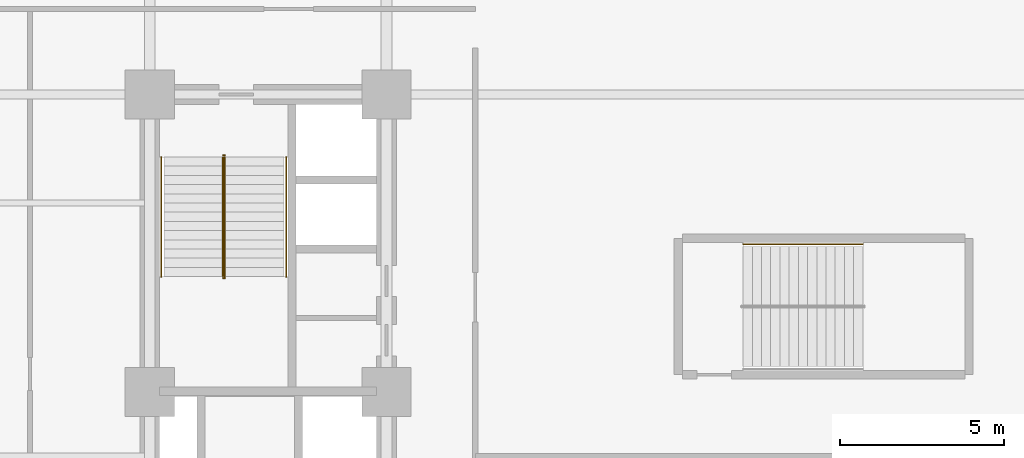
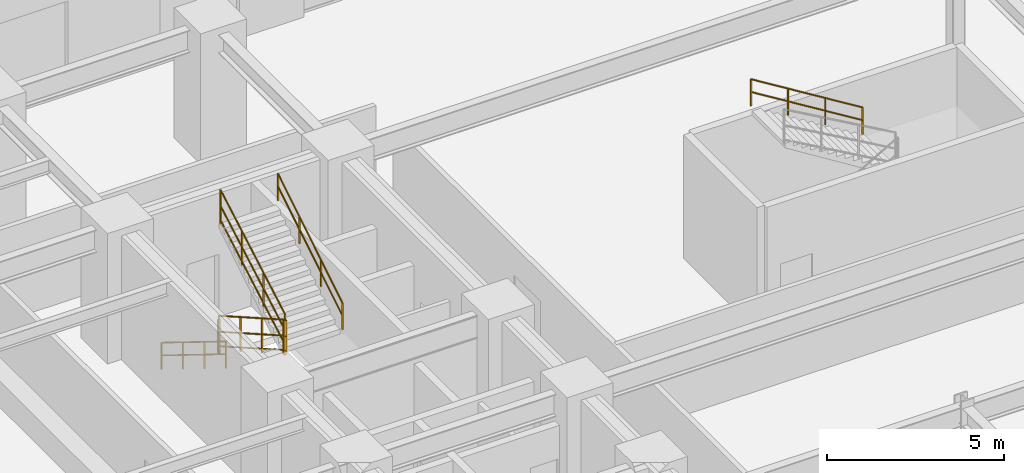
# One storey, part 15 of 15: 7 railings.
"""IFC4 building model written with IfcOpenShell, lengths in metres."""

from ifc_helpers import new_model, entity, si_unit, converted_unit, direction, frame, origin_with_axes, origin_2d_with_axis, place, context, subcontext, project, spatial, rectangle, circle, extrude, material, type_object, element, save


model = new_model("IFC4")

# Units and contexts
model_context = context("Model", 3, precision=1e-05, world=origin_with_axes(), true_north=direction((0.0, 1.0)))
body_context = subcontext(model_context, "Body", "Model", "MODEL_VIEW")
ifc_project = project(units=[si_unit("LENGTHUNIT", "METRE"), si_unit("AREAUNIT", "SQUARE_METRE"), si_unit("VOLUMEUNIT", "CUBIC_METRE"), converted_unit("PLANEANGLEUNIT", "DEGREE", entity("IfcPlaneAngleMeasure", 0.017453292519943295), si_unit("PLANEANGLEUNIT", "RADIAN"), dimensions=[0, 0, 0, 0, 0, 0, 0]), si_unit("MASSUNIT", "GRAM", prefix="KILO"), si_unit("THERMODYNAMICTEMPERATUREUNIT", "KELVIN")], contexts=[model_context])

# Site, building, storey
site_placement = place(None, origin_with_axes())
site = spatial("IfcSite", under=ifc_project, at=site_placement, CompositionType="ELEMENT")
building_placement = place(site_placement, origin_with_axes())
building = spatial("IfcBuilding", under=site, at=building_placement, Name="Varnlund Millrace Tower", CompositionType="ELEMENT")
storey_placement = place(building_placement, frame((0.0, 0.0, 15.3), z_axis=(0.0, 0.0, 1.0), x_axis=(1.0, 0.0, 0.0)))
storey = spatial("IfcBuildingStorey", under=building, at=storey_placement, Name="L03", CompositionType="ELEMENT", Elevation=15.3)

# Railings
ifc_material_1 = material(Name="Painted steel stair well balustrade guard", Category="steel")
railing_type_1 = type_object("IfcRailingType", Name="Type-StairGuard-1150", PredefinedType="GUARDRAIL", material=ifc_material_1)
railing_1_placement = place(storey_placement, frame((0.0, 0.0, -15.3), z_axis=(0.0, 0.0, 1.0), x_axis=(1.0, 0.0, 0.0)))
element("IfcRailing", 1, at=railing_1_placement, inside=storey, type_object=railing_type_1, Name="Type-StairGuard-1150", PredefinedType="GUARDRAIL", context=body_context, shape_type="SweptSolid", body=[
    extrude(circle(Radius=0.024, at=origin_2d_with_axis()), frame((13.625, 35.9, 16.623077), z_axis=(0.0, -0.868559, 0.495585), x_axis=(1.0, 0.0, 0.0)), (0.0, 0.0, 1.0), 4.190848),
    extrude(circle(Radius=0.024, at=origin_2d_with_axis()), frame((13.625, 35.9, 15.573077), z_axis=(0.0, -0.868559, 0.495585), x_axis=(1.0, 0.0, 0.0)), (0.0, 0.0, 1.0), 4.190848),
    extrude(circle(Radius=0.024, at=origin_2d_with_axis()), frame((13.625, 35.9, 16.071077), z_axis=(0.0, -0.868559, 0.495585), x_axis=(1.0, 0.0, 0.0)), (0.0, 0.0, 1.0), 4.190848),
    extrude(rectangle(XDim=0.04, YDim=0.04, at=origin_2d_with_axis()), frame((13.625, 35.9, 15.433077), z_axis=(0.0, 0.0, 1.0), x_axis=(1.0, 0.0, 0.0)), (0.0, 0.0, 1.0), 1.19),
    extrude(rectangle(XDim=0.04, YDim=0.04, at=origin_2d_with_axis()), frame((13.625, 34.686667, 16.125385), z_axis=(0.0, 0.0, 1.0), x_axis=(1.0, 0.0, 0.0)), (0.0, 0.0, 1.0), 1.19),
    extrude(rectangle(XDim=0.04, YDim=0.04, at=origin_2d_with_axis()), frame((13.625, 33.473333, 16.817692), z_axis=(0.0, 0.0, 1.0), x_axis=(1.0, 0.0, 0.0)), (0.0, 0.0, 1.0), 1.19),
    extrude(rectangle(XDim=0.04, YDim=0.04, at=origin_2d_with_axis()), frame((13.625, 32.26, 17.51), z_axis=(0.0, 0.0, 1.0), x_axis=(1.0, 0.0, 0.0)), (0.0, 0.0, 1.0), 1.19),
])
railing_2_placement = place(storey_placement, frame((0.0, 0.0, -15.3), z_axis=(0.0, 0.0, 1.0), x_axis=(1.0, 0.0, 0.0)))
element("IfcRailing", 2, at=railing_2_placement, inside=storey, type_object=railing_type_1, Name="Type-StairGuard-1150", PredefinedType="GUARDRAIL", context=body_context, shape_type="SweptSolid", body=[
    extrude(circle(Radius=0.024, at=origin_2d_with_axis()), frame((13.675, 32.21, 18.7), z_axis=(-1.0, 0.0, 0.0), x_axis=(0.0, -1.0, 0.0)), (0.0, 0.0, 1.0), 0.05),
    extrude(circle(Radius=0.024, at=origin_2d_with_axis()), frame((13.675, 32.21, 17.65), z_axis=(-1.0, 0.0, 0.0), x_axis=(0.0, -1.0, 0.0)), (0.0, 0.0, 1.0), 0.05),
    extrude(circle(Radius=0.024, at=origin_2d_with_axis()), frame((13.675, 32.21, 18.148), z_axis=(-1.0, 0.0, 0.0), x_axis=(0.0, -1.0, 0.0)), (0.0, 0.0, 1.0), 0.05),
    extrude(rectangle(XDim=0.04, YDim=0.04, at=origin_2d_with_axis()), frame((13.675, 32.21, 17.51), z_axis=(0.0, 0.0, 1.0), x_axis=(1.0, 0.0, 0.0)), (0.0, 0.0, 1.0), 1.19),
    extrude(rectangle(XDim=0.04, YDim=0.04, at=origin_2d_with_axis()), frame((13.625, 32.21, 17.51), z_axis=(0.0, 0.0, 1.0), x_axis=(1.0, 0.0, 0.0)), (0.0, 0.0, 1.0), 1.19),
])
railing_3_placement = place(storey_placement, frame((0.0, 0.0, -15.3), z_axis=(0.0, 0.0, 1.0), x_axis=(1.0, 0.0, 0.0)))
element("IfcRailing", 3, at=railing_3_placement, inside=storey, type_object=railing_type_1, Name="Type-StairGuard-1150", PredefinedType="GUARDRAIL", context=body_context, shape_type="SweptSolid", body=[
    extrude(circle(Radius=0.024, at=origin_2d_with_axis()), frame((13.675, 32.26, 18.873077), z_axis=(0.0, 0.868559, 0.495585), x_axis=(-1.0, 0.0, 0.0)), (0.0, 0.0, 1.0), 4.190848),
    extrude(circle(Radius=0.024, at=origin_2d_with_axis()), frame((13.675, 32.26, 17.823077), z_axis=(0.0, 0.868559, 0.495585), x_axis=(-1.0, 0.0, 0.0)), (0.0, 0.0, 1.0), 4.190848),
    extrude(circle(Radius=0.024, at=origin_2d_with_axis()), frame((13.675, 32.26, 18.321077), z_axis=(0.0, 0.868559, 0.495585), x_axis=(-1.0, 0.0, 0.0)), (0.0, 0.0, 1.0), 4.190848),
    extrude(rectangle(XDim=0.04, YDim=0.04, at=origin_2d_with_axis()), frame((13.675, 32.26, 17.683077), z_axis=(0.0, 0.0, 1.0), x_axis=(1.0, 0.0, 0.0)), (0.0, 0.0, 1.0), 1.19),
    extrude(rectangle(XDim=0.04, YDim=0.04, at=origin_2d_with_axis()), frame((13.675, 33.473333, 18.375385), z_axis=(0.0, 0.0, 1.0), x_axis=(1.0, 0.0, 0.0)), (0.0, 0.0, 1.0), 1.19),
    extrude(rectangle(XDim=0.04, YDim=0.04, at=origin_2d_with_axis()), frame((13.675, 34.686667, 19.067692), z_axis=(0.0, 0.0, 1.0), x_axis=(1.0, 0.0, 0.0)), (0.0, 0.0, 1.0), 1.19),
    extrude(rectangle(XDim=0.04, YDim=0.04, at=origin_2d_with_axis()), frame((13.675, 35.9, 19.76), z_axis=(0.0, 0.0, 1.0), x_axis=(1.0, 0.0, 0.0)), (0.0, 0.0, 1.0), 1.19),
])
railing_4_placement = place(storey_placement, frame((0.0, 0.0, -15.3), z_axis=(0.0, 0.0, 1.0), x_axis=(1.0, 0.0, 0.0)))
element("IfcRailing", 4, at=railing_4_placement, inside=storey, type_object=railing_type_1, Name="Type-StairGuard-1150", PredefinedType="GUARDRAIL", context=body_context, shape_type="SweptSolid", body=[
    extrude(circle(Radius=0.024, at=origin_2d_with_axis()), frame((13.675, 35.95, 16.45), z_axis=(-1.0, 0.0, 0.0), x_axis=(0.0, -1.0, 0.0)), (0.0, 0.0, 1.0), 0.05),
    extrude(circle(Radius=0.024, at=origin_2d_with_axis()), frame((13.675, 35.95, 15.4), z_axis=(-1.0, 0.0, 0.0), x_axis=(0.0, -1.0, 0.0)), (0.0, 0.0, 1.0), 0.05),
    extrude(circle(Radius=0.024, at=origin_2d_with_axis()), frame((13.675, 35.95, 15.898), z_axis=(-1.0, 0.0, 0.0), x_axis=(0.0, -1.0, 0.0)), (0.0, 0.0, 1.0), 0.05),
    extrude(rectangle(XDim=0.04, YDim=0.04, at=origin_2d_with_axis()), frame((13.675, 35.95, 15.26), z_axis=(0.0, 0.0, 1.0), x_axis=(1.0, 0.0, 0.0)), (0.0, 0.0, 1.0), 1.19),
    extrude(rectangle(XDim=0.04, YDim=0.04, at=origin_2d_with_axis()), frame((13.625, 35.95, 15.26), z_axis=(0.0, 0.0, 1.0), x_axis=(1.0, 0.0, 0.0)), (0.0, 0.0, 1.0), 1.19),
])
ifc_material_2 = material(Name="Brushed architectural bronze stair handrail", Category="aluminium")
railing_type_2 = type_object("IfcRailingType", Name="Type-StairHandrail-900", PredefinedType="HANDRAIL", material=ifc_material_2)
railing_5_placement = place(storey_placement, frame((0.0, 0.0, -15.3), z_axis=(0.0, 0.0, 1.0), x_axis=(1.0, 0.0, 0.0)))
element("IfcRailing", 5, at=railing_5_placement, inside=storey, type_object=railing_type_2, Name="Type-StairHandrail-900", PredefinedType="HANDRAIL", context=body_context, shape_type="SweptSolid", body=[
    extrude(circle(Radius=0.024, at=origin_2d_with_axis()), frame((11.75, 35.9, 16.352662), z_axis=(0.0, -0.850614, 0.525791), x_axis=(1.0, 0.0, 0.0)), (0.0, 0.0, 1.0), 4.279264),
    extrude(circle(Radius=0.024, at=origin_2d_with_axis()), frame((11.75, 35.9, 15.91287), z_axis=(0.0, -0.850614, 0.525791), x_axis=(1.0, 0.0, 0.0)), (0.0, 0.0, 1.0), 4.279264),
    extrude(rectangle(XDim=0.04, YDim=0.04, at=origin_2d_with_axis()), frame((11.75, 35.9, 15.433077), z_axis=(0.0, 0.0, 1.0), x_axis=(1.0, 0.0, 0.0)), (0.0, 0.0, 1.0), 0.919585),
    extrude(rectangle(XDim=0.04, YDim=0.04, at=origin_2d_with_axis()), frame((11.75, 34.686667, 16.183077), z_axis=(0.0, 0.0, 1.0), x_axis=(1.0, 0.0, 0.0)), (0.0, 0.0, 1.0), 0.919585),
    extrude(rectangle(XDim=0.04, YDim=0.04, at=origin_2d_with_axis()), frame((11.75, 33.473333, 16.933077), z_axis=(0.0, 0.0, 1.0), x_axis=(1.0, 0.0, 0.0)), (0.0, 0.0, 1.0), 0.919585),
    extrude(rectangle(XDim=0.04, YDim=0.04, at=origin_2d_with_axis()), frame((11.75, 32.26, 17.683077), z_axis=(0.0, 0.0, 1.0), x_axis=(1.0, 0.0, 0.0)), (0.0, 0.0, 1.0), 0.919585),
])
railing_6_placement = place(storey_placement, frame((0.0, 0.0, -15.3), z_axis=(0.0, 0.0, 1.0), x_axis=(1.0, 0.0, 0.0)))
element("IfcRailing", 6, at=railing_6_placement, inside=storey, type_object=railing_type_2, Name="Type-StairHandrail-900", PredefinedType="HANDRAIL", context=body_context, shape_type="SweptSolid", body=[
    extrude(circle(Radius=0.024, at=origin_2d_with_axis()), frame((15.55, 32.26, 18.602662), z_axis=(0.0, 0.850614, 0.525791), x_axis=(-1.0, 0.0, 0.0)), (0.0, 0.0, 1.0), 4.279264),
    extrude(circle(Radius=0.024, at=origin_2d_with_axis()), frame((15.55, 32.26, 18.16287), z_axis=(0.0, 0.850614, 0.525791), x_axis=(-1.0, 0.0, 0.0)), (0.0, 0.0, 1.0), 4.279264),
    extrude(rectangle(XDim=0.04, YDim=0.04, at=origin_2d_with_axis()), frame((15.55, 32.26, 17.683077), z_axis=(0.0, 0.0, 1.0), x_axis=(1.0, 0.0, 0.0)), (0.0, 0.0, 1.0), 0.919585),
    extrude(rectangle(XDim=0.04, YDim=0.04, at=origin_2d_with_axis()), frame((15.55, 33.473333, 18.433077), z_axis=(0.0, 0.0, 1.0), x_axis=(1.0, 0.0, 0.0)), (0.0, 0.0, 1.0), 0.919585),
    extrude(rectangle(XDim=0.04, YDim=0.04, at=origin_2d_with_axis()), frame((15.55, 34.686667, 19.183077), z_axis=(0.0, 0.0, 1.0), x_axis=(1.0, 0.0, 0.0)), (0.0, 0.0, 1.0), 0.919585),
    extrude(rectangle(XDim=0.04, YDim=0.04, at=origin_2d_with_axis()), frame((15.55, 35.9, 19.933077), z_axis=(0.0, 0.0, 1.0), x_axis=(1.0, 0.0, 0.0)), (0.0, 0.0, 1.0), 0.919585),
])
railing_7_placement = place(storey_placement, frame((0.0, 0.0, -15.3), z_axis=(0.0, 0.0, 1.0), x_axis=(1.0, 0.0, 0.0)))
element("IfcRailing", 7, at=railing_7_placement, inside=storey, type_object=railing_type_2, Name="Type-StairHandrail-900", PredefinedType="HANDRAIL", context=body_context, shape_type="SweptSolid", body=[
    extrude(circle(Radius=0.024, at=origin_2d_with_axis()), frame((33.09, 33.25, 18.602662), z_axis=(-0.850614, 0.0, 0.525791), x_axis=(0.0, -1.0, 0.0)), (0.0, 0.0, 1.0), 4.279264),
    extrude(circle(Radius=0.024, at=origin_2d_with_axis()), frame((33.09, 33.25, 18.16287), z_axis=(-0.850614, 0.0, 0.525791), x_axis=(0.0, -1.0, 0.0)), (0.0, 0.0, 1.0), 4.279264),
    extrude(rectangle(XDim=0.04, YDim=0.04, at=origin_2d_with_axis()), frame((33.09, 33.25, 17.683077), z_axis=(0.0, 0.0, 1.0), x_axis=(1.0, 0.0, 0.0)), (0.0, 0.0, 1.0), 0.919585),
    extrude(rectangle(XDim=0.04, YDim=0.04, at=origin_2d_with_axis()), frame((31.876667, 33.25, 18.433077), z_axis=(0.0, 0.0, 1.0), x_axis=(1.0, 0.0, 0.0)), (0.0, 0.0, 1.0), 0.919585),
    extrude(rectangle(XDim=0.04, YDim=0.04, at=origin_2d_with_axis()), frame((30.663333, 33.25, 19.183077), z_axis=(0.0, 0.0, 1.0), x_axis=(1.0, 0.0, 0.0)), (0.0, 0.0, 1.0), 0.919585),
    extrude(rectangle(XDim=0.04, YDim=0.04, at=origin_2d_with_axis()), frame((29.45, 33.25, 19.933077), z_axis=(0.0, 0.0, 1.0), x_axis=(1.0, 0.0, 0.0)), (0.0, 0.0, 1.0), 0.919585),
])

save(model, "model.ifc")
